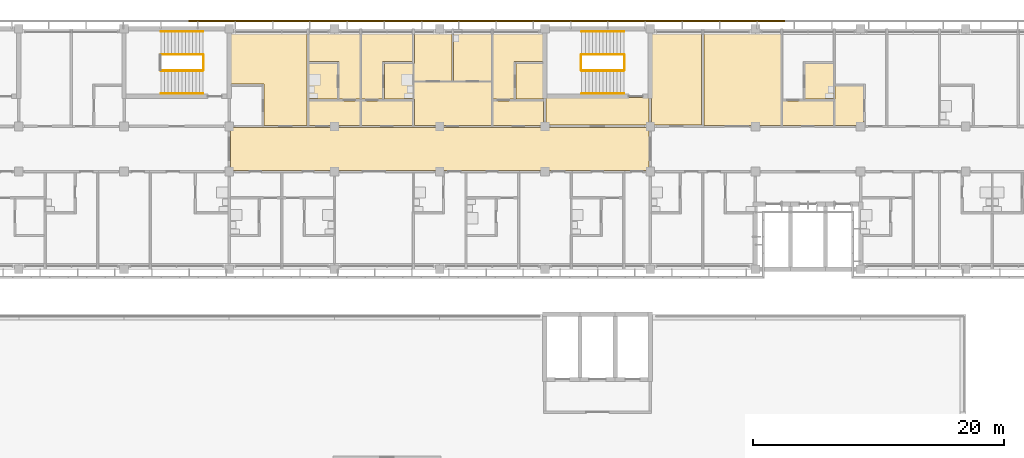
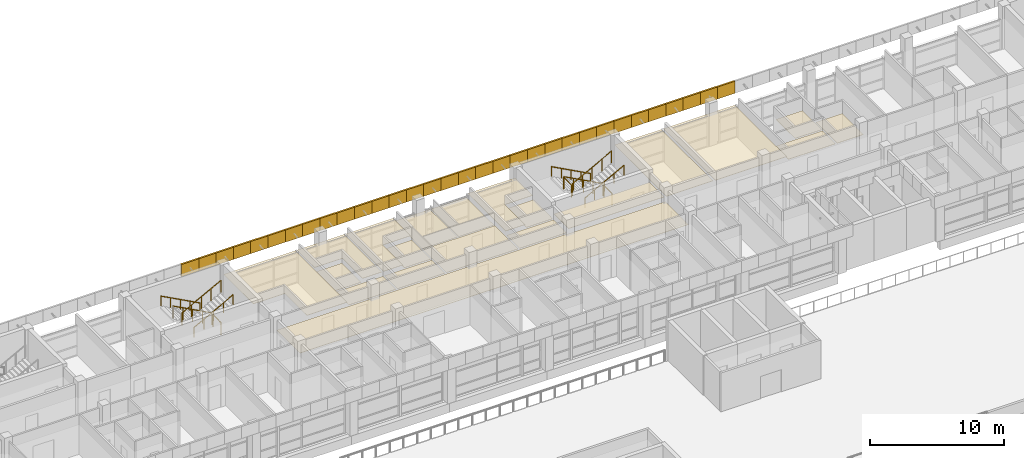
# One storey, part 43 of 46: 52 coverings, 11 railings.
"""IFC4 building model written with IfcOpenShell, lengths in metres."""

from ifc_helpers import new_model, si_unit, direction, frame, origin, origin_2d, place, context, subcontext, project, spatial, polyline, circle, outline, extrude, material, layer, layer_set, type_object, element, save


model = new_model("IFC4")

# Units and contexts
model_context = context("Model", 3, precision=1e-05, world=origin(), true_north=direction((0.0, 1.0)))
body_context = subcontext(model_context, "Body", "Model", "MODEL_VIEW")
ifc_project = project(units=[si_unit("LENGTHUNIT", "METRE"), si_unit("AREAUNIT", "SQUARE_METRE"), si_unit("VOLUMEUNIT", "CUBIC_METRE"), si_unit("PLANEANGLEUNIT", "RADIAN"), si_unit("MASSUNIT", "GRAM", prefix="KILO")], contexts=[model_context])

# Site, building, storey
site_placement = place(None, origin())
site = spatial("IfcSite", under=ifc_project, at=site_placement, CompositionType="ELEMENT")
building_placement = place(site_placement, origin())
building = spatial("IfcBuilding", under=site, at=building_placement, Name="Bougainvillea Quay General Hospital", CompositionType="ELEMENT")
storey_placement = place(building_placement, frame((0.0, 0.0, 28.800048828125)))
storey = spatial("IfcBuildingStorey", under=building, at=storey_placement, Name="L06", CompositionType="ELEMENT", Elevation=28.800048828125)

# Coverings
ifc_material_1 = material(Name="Powder-coated aluminium fascia, white", Category="aluminium")
ifc_layer_1 = layer(ifc_material_1, 0.14990234375)
ifc_layer_set_1 = layer_set([ifc_layer_1], Name="Powder-coated aluminium fascia, white")
covering_type_1 = type_object("IfcCoveringType", Name="Aluminium fascia band white 150x1100", PredefinedType="CLADDING", material=ifc_layer_set_1)
for number, where, z_axis, x_axis, name in (
    (1, (153.5625, 160.14990234375, 3.349853515625), (0.0, 0.0, 1.0), (-1.0, 0.0, 0.0), "Fascia band white e0 22"),
    (2, (152.074951171875, 160.14990234375, 3.349853515625), (0.0, 0.0, 1.0), (-1.0, 0.0, 0.0), "Fascia band white e0 23"),
):
    element("IfcCovering", number, at=place(storey_placement, frame(where, z_axis=z_axis, x_axis=x_axis)), inside=storey, type_object=covering_type_1, Name=name, PredefinedType="CLADDING", context=body_context, shape_type="SweptSolid", body=[
        extrude(outline(polyline([(0.0, 0.0), (1.487548828125, 0.0), (1.487548828125, -0.150146484375), (0.0, -0.150146484375), (0.0, 0.0)])), origin(), (0.0, 0.0, 1.0), 1.10009765625),
    ])
covering_1_placement = place(storey_placement, frame((150.58740234375, 160.14990234375, 3.349853515625), z_axis=(0.0, 0.0, 1.0), x_axis=(-1.0, 0.0, 0.0)))
element("IfcCovering", 3, at=covering_1_placement, inside=storey, type_object=covering_type_1, Name="Fascia band white e0 24", PredefinedType="CLADDING", context=body_context, shape_type="SweptSolid", body=[
    extrude(outline(polyline([(0.0, 0.0), (1.4873046875, 0.0), (1.4873046875, -0.150146484375), (0.0, -0.150146484375), (0.0, 0.0)])), origin(), (0.0, 0.0, 1.0), 1.10009765625),
])
for number, where, z_axis, x_axis, name in (
    (4, (149.10009765625, 160.14990234375, 3.349853515625), (0.0, 0.0, 1.0), (-1.0, 0.0, 0.0), "Fascia band white e0 25"),
    (5, (147.612548828125, 160.14990234375, 3.349853515625), (0.0, 0.0, 1.0), (-1.0, 0.0, 0.0), "Fascia band white e0 26"),
    (6, (146.125, 160.14990234375, 3.349853515625), (0.0, 0.0, 1.0), (-1.0, 0.0, 0.0), "Fascia band white e0 27"),
    (7, (144.637451171875, 160.14990234375, 3.349853515625), (0.0, 0.0, 1.0), (-1.0, 0.0, 0.0), "Fascia band white e0 28"),
):
    element("IfcCovering", number, at=place(storey_placement, frame(where, z_axis=z_axis, x_axis=x_axis)), inside=storey, type_object=covering_type_1, Name=name, PredefinedType="CLADDING", context=body_context, shape_type="SweptSolid", body=[
        extrude(outline(polyline([(0.0, 0.0), (1.487548828125, 0.0), (1.487548828125, -0.150146484375), (0.0, -0.150146484375), (0.0, 0.0)])), origin(), (0.0, 0.0, 1.0), 1.10009765625),
    ])
covering_2_placement = place(storey_placement, frame((143.14990234375, 160.14990234375, 3.349853515625), z_axis=(0.0, 0.0, 1.0), x_axis=(-1.0, 0.0, 0.0)))
element("IfcCovering", 8, at=covering_2_placement, inside=storey, type_object=covering_type_1, Name="Fascia band white e0 29", PredefinedType="CLADDING", context=body_context, shape_type="SweptSolid", body=[
    extrude(outline(polyline([(0.0, 0.0), (1.4873046875, 0.0), (1.4873046875, -0.150146484375), (0.0, -0.150146484375), (0.0, 0.0)])), origin(), (0.0, 0.0, 1.0), 1.10009765625),
])
for number, where, z_axis, x_axis, name in (
    (9, (141.66259765625, 160.14990234375, 3.349853515625), (0.0, 0.0, 1.0), (-1.0, 0.0, 0.0), "Fascia band white e0 30"),
    (10, (140.175048828125, 160.14990234375, 3.349853515625), (0.0, 0.0, 1.0), (-1.0, 0.0, 0.0), "Fascia band white e0 31"),
    (11, (138.6875, 160.14990234375, 3.349853515625), (0.0, 0.0, 1.0), (-1.0, 0.0, 0.0), "Fascia band white e0 32"),
    (12, (137.199951171875, 160.14990234375, 3.349853515625), (0.0, 0.0, 1.0), (-1.0, 0.0, 0.0), "Fascia band white e0 33"),
):
    element("IfcCovering", number, at=place(storey_placement, frame(where, z_axis=z_axis, x_axis=x_axis)), inside=storey, type_object=covering_type_1, Name=name, PredefinedType="CLADDING", context=body_context, shape_type="SweptSolid", body=[
        extrude(outline(polyline([(0.0, 0.0), (1.487548828125, 0.0), (1.487548828125, -0.150146484375), (0.0, -0.150146484375), (0.0, 0.0)])), origin(), (0.0, 0.0, 1.0), 1.10009765625),
    ])
covering_3_placement = place(storey_placement, frame((135.71240234375, 160.14990234375, 3.349853515625), z_axis=(0.0, 0.0, 1.0), x_axis=(-1.0, 0.0, 0.0)))
element("IfcCovering", 13, at=covering_3_placement, inside=storey, type_object=covering_type_1, Name="Fascia band white e0 34", PredefinedType="CLADDING", context=body_context, shape_type="SweptSolid", body=[
    extrude(outline(polyline([(0.0, 0.0), (1.4873046875, 0.0), (1.4873046875, -0.150146484375), (0.0, -0.150146484375), (0.0, 0.0)])), origin(), (0.0, 0.0, 1.0), 1.10009765625),
])
for number, where, z_axis, x_axis, name in (
    (14, (134.22509765625, 160.14990234375, 3.349853515625), (0.0, 0.0, 1.0), (-1.0, 0.0, 0.0), "Fascia band white e0 35"),
    (15, (132.737548828125, 160.14990234375, 3.349853515625), (0.0, 0.0, 1.0), (-1.0, 0.0, 0.0), "Fascia band white e0 36"),
    (16, (131.25, 160.14990234375, 3.349853515625), (0.0, 0.0, 1.0), (-1.0, 0.0, 0.0), "Fascia band white e0 37"),
    (17, (129.762451171875, 160.14990234375, 3.349853515625), (0.0, 0.0, 1.0), (-1.0, 0.0, 0.0), "Fascia band white e0 38"),
):
    element("IfcCovering", number, at=place(storey_placement, frame(where, z_axis=z_axis, x_axis=x_axis)), inside=storey, type_object=covering_type_1, Name=name, PredefinedType="CLADDING", context=body_context, shape_type="SweptSolid", body=[
        extrude(outline(polyline([(0.0, 0.0), (1.487548828125, 0.0), (1.487548828125, -0.150146484375), (0.0, -0.150146484375), (0.0, 0.0)])), origin(), (0.0, 0.0, 1.0), 1.10009765625),
    ])
covering_4_placement = place(storey_placement, frame((128.27490234375, 160.14990234375, 3.349853515625), z_axis=(0.0, 0.0, 1.0), x_axis=(-1.0, 0.0, 0.0)))
element("IfcCovering", 18, at=covering_4_placement, inside=storey, type_object=covering_type_1, Name="Fascia band white e0 39", PredefinedType="CLADDING", context=body_context, shape_type="SweptSolid", body=[
    extrude(outline(polyline([(0.0, 0.0), (1.4873046875, 0.0), (1.4873046875, -0.150146484375), (0.0, -0.150146484375), (0.0, 0.0)])), origin(), (0.0, 0.0, 1.0), 1.10009765625),
])
for number, where, z_axis, x_axis, name in (
    (19, (126.78759765625, 160.14990234375, 3.349853515625), (0.0, 0.0, 1.0), (-1.0, 0.0, 0.0), "Fascia band white e0 40"),
    (20, (125.300048828125, 160.14990234375, 3.349853515625), (0.0, 0.0, 1.0), (-1.0, 0.0, 0.0), "Fascia band white e0 41"),
    (21, (123.8125, 160.14990234375, 3.349853515625), (0.0, 0.0, 1.0), (-1.0, 0.0, 0.0), "Fascia band white e0 42"),
    (22, (122.324951171875, 160.14990234375, 3.349853515625), (0.0, 0.0, 1.0), (-1.0, 0.0, 0.0), "Fascia band white e0 43"),
):
    element("IfcCovering", number, at=place(storey_placement, frame(where, z_axis=z_axis, x_axis=x_axis)), inside=storey, type_object=covering_type_1, Name=name, PredefinedType="CLADDING", context=body_context, shape_type="SweptSolid", body=[
        extrude(outline(polyline([(0.0, 0.0), (1.487548828125, 0.0), (1.487548828125, -0.150146484375), (0.0, -0.150146484375), (0.0, 0.0)])), origin(), (0.0, 0.0, 1.0), 1.10009765625),
    ])
covering_5_placement = place(storey_placement, frame((120.83740234375, 160.14990234375, 3.349853515625), z_axis=(0.0, 0.0, 1.0), x_axis=(-1.0, 0.0, 0.0)))
element("IfcCovering", 23, at=covering_5_placement, inside=storey, type_object=covering_type_1, Name="Fascia band white e0 44", PredefinedType="CLADDING", context=body_context, shape_type="SweptSolid", body=[
    extrude(outline(polyline([(0.0, 0.0), (1.4873046875, 0.0), (1.4873046875, -0.150146484375), (0.0, -0.150146484375), (0.0, 0.0)])), origin(), (0.0, 0.0, 1.0), 1.10009765625),
])
for number, where, z_axis, x_axis, name in (
    (24, (119.35009765625, 160.14990234375, 3.349853515625), (0.0, 0.0, 1.0), (-1.0, 0.0, 0.0), "Fascia band white e0 45"),
    (25, (117.862548828125, 160.14990234375, 3.349853515625), (0.0, 0.0, 1.0), (-1.0, 0.0, 0.0), "Fascia band white e0 46"),
    (26, (116.375, 160.14990234375, 3.349853515625), (0.0, 0.0, 1.0), (-1.0, 0.0, 0.0), "Fascia band white e0 47"),
    (27, (114.887451171875, 160.14990234375, 3.349853515625), (0.0, 0.0, 1.0), (-1.0, 0.0, 0.0), "Fascia band white e0 48"),
):
    element("IfcCovering", number, at=place(storey_placement, frame(where, z_axis=z_axis, x_axis=x_axis)), inside=storey, type_object=covering_type_1, Name=name, PredefinedType="CLADDING", context=body_context, shape_type="SweptSolid", body=[
        extrude(outline(polyline([(0.0, 0.0), (1.487548828125, 0.0), (1.487548828125, -0.150146484375), (0.0, -0.150146484375), (0.0, 0.0)])), origin(), (0.0, 0.0, 1.0), 1.10009765625),
    ])
covering_6_placement = place(storey_placement, frame((113.39990234375, 160.14990234375, 3.349853515625), z_axis=(0.0, 0.0, 1.0), x_axis=(-1.0, 0.0, 0.0)))
element("IfcCovering", 28, at=covering_6_placement, inside=storey, type_object=covering_type_1, Name="Fascia band white e0 49", PredefinedType="CLADDING", context=body_context, shape_type="SweptSolid", body=[
    extrude(outline(polyline([(0.0, 0.0), (1.4873046875, 0.0), (1.4873046875, -0.150146484375), (0.0, -0.150146484375), (0.0, 0.0)])), origin(), (0.0, 0.0, 1.0), 1.10009765625),
])
for number, where, z_axis, x_axis, name in (
    (29, (111.91259765625, 160.14990234375, 3.349853515625), (0.0, 0.0, 1.0), (-1.0, 0.0, 0.0), "Fascia band white e0 50"),
    (30, (110.425048828125, 160.14990234375, 3.349853515625), (0.0, 0.0, 1.0), (-1.0, 0.0, 0.0), "Fascia band white e0 51"),
    (31, (108.9375, 160.14990234375, 3.349853515625), (0.0, 0.0, 1.0), (-1.0, 0.0, 0.0), "Fascia band white e0 52"),
    (32, (107.449951171875, 160.14990234375, 3.349853515625), (0.0, 0.0, 1.0), (-1.0, 0.0, 0.0), "Fascia band white e0 53"),
):
    element("IfcCovering", number, at=place(storey_placement, frame(where, z_axis=z_axis, x_axis=x_axis)), inside=storey, type_object=covering_type_1, Name=name, PredefinedType="CLADDING", context=body_context, shape_type="SweptSolid", body=[
        extrude(outline(polyline([(0.0, 0.0), (1.487548828125, 0.0), (1.487548828125, -0.150146484375), (0.0, -0.150146484375), (0.0, 0.0)])), origin(), (0.0, 0.0, 1.0), 1.10009765625),
    ])

# Railings
ifc_material_2 = material(Name="Stainless steel 304 balustrade", Category="steel")
railing_type_1 = type_object("IfcRailingType", Name="Stair guard 1100", PredefinedType="GUARDRAIL", material=ifc_material_2)
railing_1_placement = place(storey_placement, frame((140.699951171875, 157.550048828125, 0.14990234375)))
element("IfcRailing", 33, at=railing_1_placement, inside=storey, type_object=railing_type_1, Name="L06 ST-A3 stair guard 1", PredefinedType="GUARDRAIL", context=body_context, shape_type="SweptSolid", body=[
    extrude(circle(Radius=0.02392578125, at=origin_2d()), frame((0.0, 0.0, 1.076171875), z_axis=(-0.881466638993, 0.0, 0.472246296272), x_axis=(0.0, -1.0, 0.0)), (0.0, 0.0, 1.0), 3.811767578125),
    extrude(circle(Radius=0.02099609375, at=origin_2d()), origin(), (0.0, 0.0, 1.0), 1.052001953125),
    extrude(circle(Radius=0.02099609375, at=origin_2d()), frame((-0.83984375, 0.0, 0.449951171875)), (0.0, 0.0, 1.0), 1.052001953125),
    extrude(circle(Radius=0.02099609375, at=origin_2d()), frame((-1.679931640625, 0.0, 0.89990234375)), (0.0, 0.0, 1.0), 1.052001953125),
    extrude(circle(Radius=0.02099609375, at=origin_2d()), frame((-2.52001953125, 0.0, 1.35009765625)), (0.0, 0.0, 1.0), 1.052001953125),
    extrude(circle(Radius=0.02099609375, at=origin_2d()), frame((-3.35986328125, 0.0, 1.800048828125)), (0.0, 0.0, 1.0), 1.052001953125),
])
railing_2_placement = place(storey_placement, frame((137.2900390625, 157.5, 1.949951171875)))
element("IfcRailing", 34, at=railing_2_placement, inside=storey, type_object=railing_type_1, Name="L06 ST-A3 stair guard 2", PredefinedType="GUARDRAIL", context=body_context, shape_type="SweptSolid", body=[
    extrude(circle(Radius=0.02392578125, at=origin_2d()), frame((0.0, 0.0, 1.076171875), z_axis=(0.0, -1.0, 0.0), x_axis=(1.0, 0.0, 0.0)), (0.0, 0.0, 1.0), 1.199951171875),
    extrude(circle(Radius=0.02099609375, at=origin_2d()), origin(), (0.0, 0.0, 1.0), 1.052001953125),
    extrude(circle(Radius=0.02099609375, at=origin_2d()), frame((0.0, -1.199951171875, 0.0)), (0.0, 0.0, 1.0), 1.052001953125),
])
railing_3_placement = place(storey_placement, frame((137.340087890625, 156.25, 2.099853515625)))
element("IfcRailing", 35, at=railing_3_placement, inside=storey, type_object=railing_type_1, Name="L06 ST-A3 stair guard 3", PredefinedType="GUARDRAIL", context=body_context, shape_type="SweptSolid", body=[
    extrude(circle(Radius=0.02392578125, at=origin_2d()), frame((0.0, 0.0, 1.076171875), z_axis=(0.881466638993, 0.0, 0.472246296272), x_axis=(0.0, 1.0, 0.0)), (0.0, 0.0, 1.0), 3.811767578125),
    extrude(circle(Radius=0.02099609375, at=origin_2d()), origin(), (0.0, 0.0, 1.0), 1.052001953125),
    extrude(circle(Radius=0.02099609375, at=origin_2d()), frame((0.83984375, 0.0, 0.449951171875)), (0.0, 0.0, 1.0), 1.052001953125),
    extrude(circle(Radius=0.02099609375, at=origin_2d()), frame((1.679931640625, 0.0, 0.89990234375)), (0.0, 0.0, 1.0), 1.052001953125),
    extrude(circle(Radius=0.02099609375, at=origin_2d()), frame((2.52001953125, 0.0, 1.35009765625)), (0.0, 0.0, 1.0), 1.052001953125),
    extrude(circle(Radius=0.02099609375, at=origin_2d()), frame((3.35986328125, 0.0, 1.800048828125)), (0.0, 0.0, 1.0), 1.052001953125),
])
railing_4_placement = place(storey_placement, frame((140.75, 157.5, 0.0)))
element("IfcRailing", 36, at=railing_4_placement, inside=storey, type_object=railing_type_1, Name="L06 ST-A3 stair guard 4", PredefinedType="GUARDRAIL", context=body_context, shape_type="SweptSolid", body=[
    extrude(circle(Radius=0.02392578125, at=origin_2d()), frame((0.0, 0.0, 1.076171875), z_axis=(0.0, -1.0, 0.0), x_axis=(1.0, 0.0, 0.0)), (0.0, 0.0, 1.0), 1.199951171875),
    extrude(circle(Radius=0.02099609375, at=origin_2d()), origin(), (0.0, 0.0, 1.0), 1.052001953125),
    extrude(circle(Radius=0.02099609375, at=origin_2d()), frame((0.0, -1.199951171875, 0.0)), (0.0, 0.0, 1.0), 1.052001953125),
])
railing_5_placement = place(storey_placement, frame((107.10009765625, 157.550048828125, 0.14990234375)))
element("IfcRailing", 37, at=railing_5_placement, inside=storey, type_object=railing_type_1, Name="L06 ST-A5 stair guard 1", PredefinedType="GUARDRAIL", context=body_context, shape_type="SweptSolid", body=[
    extrude(circle(Radius=0.02392578125, at=origin_2d()), frame((0.0, 0.0, 1.076171875), z_axis=(-0.881480922165, 0.0, 0.47221963519), x_axis=(0.0, -1.0, 0.0)), (0.0, 0.0, 1.0), 3.811767578125),
    extrude(circle(Radius=0.02099609375, at=origin_2d()), origin(), (0.0, 0.0, 1.0), 1.052001953125),
    extrude(circle(Radius=0.02099609375, at=origin_2d()), frame((-0.840087890625, 0.0, 0.449951171875)), (0.0, 0.0, 1.0), 1.052001953125),
    extrude(circle(Radius=0.02099609375, at=origin_2d()), frame((-1.68017578125, 0.0, 0.89990234375)), (0.0, 0.0, 1.0), 1.052001953125),
    extrude(circle(Radius=0.02099609375, at=origin_2d()), frame((-2.52001953125, 0.0, 1.35009765625)), (0.0, 0.0, 1.0), 1.052001953125),
    extrude(circle(Radius=0.02099609375, at=origin_2d()), frame((-3.360107421875, 0.0, 1.800048828125)), (0.0, 0.0, 1.0), 1.052001953125),
])
railing_6_placement = place(storey_placement, frame((103.739990234375, 156.25, 2.099853515625)))
element("IfcRailing", 38, at=railing_6_placement, inside=storey, type_object=railing_type_1, Name="L06 ST-A5 stair guard 3", PredefinedType="GUARDRAIL", context=body_context, shape_type="SweptSolid", body=[
    extrude(circle(Radius=0.02392578125, at=origin_2d()), frame((0.0, 0.0, 1.076171875), z_axis=(0.881480922165, 0.0, 0.47221963519), x_axis=(0.0, 1.0, 0.0)), (0.0, 0.0, 1.0), 3.811767578125),
    extrude(circle(Radius=0.02099609375, at=origin_2d()), origin(), (0.0, 0.0, 1.0), 1.052001953125),
    extrude(circle(Radius=0.02099609375, at=origin_2d()), frame((0.840087890625, 0.0, 0.449951171875)), (0.0, 0.0, 1.0), 1.052001953125),
    extrude(circle(Radius=0.02099609375, at=origin_2d()), frame((1.68017578125, 0.0, 0.89990234375)), (0.0, 0.0, 1.0), 1.052001953125),
    extrude(circle(Radius=0.02099609375, at=origin_2d()), frame((2.52001953125, 0.0, 1.35009765625)), (0.0, 0.0, 1.0), 1.052001953125),
    extrude(circle(Radius=0.02099609375, at=origin_2d()), frame((3.360107421875, 0.0, 1.800048828125)), (0.0, 0.0, 1.0), 1.052001953125),
])
railing_7_placement = place(storey_placement, frame((107.14990234375, 157.5, 0.0)))
element("IfcRailing", 39, at=railing_7_placement, inside=storey, type_object=railing_type_1, Name="L06 ST-A5 stair guard 4", PredefinedType="GUARDRAIL", context=body_context, shape_type="SweptSolid", body=[
    extrude(circle(Radius=0.02392578125, at=origin_2d()), frame((0.0, 0.0, 1.076171875), z_axis=(0.0, -1.0, 0.0), x_axis=(1.0, 0.0, 0.0)), (0.0, 0.0, 1.0), 1.199951171875),
    extrude(circle(Radius=0.02099609375, at=origin_2d()), origin(), (0.0, 0.0, 1.0), 1.052001953125),
    extrude(circle(Radius=0.02099609375, at=origin_2d()), frame((0.0, -1.199951171875, 0.0)), (0.0, 0.0, 1.0), 1.052001953125),
])
ifc_material_3 = material(Name="Stainless steel 304 handrail", Category="steel")
railing_type_2 = type_object("IfcRailingType", Name="Stair handrail 900", PredefinedType="HANDRAIL", material=ifc_material_3)
railing_8_placement = place(storey_placement, frame((140.699951171875, 159.375, 0.14990234375)))
element("IfcRailing", 40, at=railing_8_placement, inside=storey, type_object=railing_type_2, Name="L06 ST-A3 stair handrail 1", PredefinedType="HANDRAIL", context=body_context, shape_type="SweptSolid", body=[
    extrude(circle(Radius=0.02392578125, at=origin_2d()), frame((0.0, 0.0, 0.8759765625), z_axis=(-0.881466638993, 0.0, 0.472246296272), x_axis=(0.0, -1.0, 0.0)), (0.0, 0.0, 1.0), 3.811767578125),
    extrude(circle(Radius=0.02099609375, at=origin_2d()), origin(), (0.0, 0.0, 1.0), 0.851806640625),
    extrude(circle(Radius=0.02099609375, at=origin_2d()), frame((-0.83984375, 0.0, 0.449951171875)), (0.0, 0.0, 1.0), 0.851806640625),
    extrude(circle(Radius=0.02099609375, at=origin_2d()), frame((-1.679931640625, 0.0, 0.89990234375)), (0.0, 0.0, 1.0), 0.851806640625),
    extrude(circle(Radius=0.02099609375, at=origin_2d()), frame((-2.52001953125, 0.0, 1.35009765625)), (0.0, 0.0, 1.0), 0.851806640625),
    extrude(circle(Radius=0.02099609375, at=origin_2d()), frame((-3.35986328125, 0.0, 1.800048828125)), (0.0, 0.0, 1.0), 0.851806640625),
])
railing_9_placement = place(storey_placement, frame((137.340087890625, 154.425048828125, 2.099853515625)))
element("IfcRailing", 41, at=railing_9_placement, inside=storey, type_object=railing_type_2, Name="L06 ST-A3 stair handrail 2", PredefinedType="HANDRAIL", context=body_context, shape_type="SweptSolid", body=[
    extrude(circle(Radius=0.02392578125, at=origin_2d()), frame((0.0, 0.0, 0.8759765625), z_axis=(0.881466638993, 0.0, 0.472246296272), x_axis=(0.0, 1.0, 0.0)), (0.0, 0.0, 1.0), 3.811767578125),
    extrude(circle(Radius=0.02099609375, at=origin_2d()), origin(), (0.0, 0.0, 1.0), 0.851806640625),
    extrude(circle(Radius=0.02099609375, at=origin_2d()), frame((0.83984375, 0.0, 0.449951171875)), (0.0, 0.0, 1.0), 0.851806640625),
    extrude(circle(Radius=0.02099609375, at=origin_2d()), frame((1.679931640625, 0.0, 0.89990234375)), (0.0, 0.0, 1.0), 0.851806640625),
    extrude(circle(Radius=0.02099609375, at=origin_2d()), frame((2.52001953125, 0.0, 1.35009765625)), (0.0, 0.0, 1.0), 0.851806640625),
    extrude(circle(Radius=0.02099609375, at=origin_2d()), frame((3.35986328125, 0.0, 1.800048828125)), (0.0, 0.0, 1.0), 0.851806640625),
])
railing_10_placement = place(storey_placement, frame((107.10009765625, 159.375, 0.14990234375)))
element("IfcRailing", 42, at=railing_10_placement, inside=storey, type_object=railing_type_2, Name="L06 ST-A5 stair handrail 1", PredefinedType="HANDRAIL", context=body_context, shape_type="SweptSolid", body=[
    extrude(circle(Radius=0.02392578125, at=origin_2d()), frame((0.0, 0.0, 0.8759765625), z_axis=(-0.881480922165, 0.0, 0.47221963519), x_axis=(0.0, -1.0, 0.0)), (0.0, 0.0, 1.0), 3.811767578125),
    extrude(circle(Radius=0.02099609375, at=origin_2d()), origin(), (0.0, 0.0, 1.0), 0.851806640625),
    extrude(circle(Radius=0.02099609375, at=origin_2d()), frame((-0.840087890625, 0.0, 0.449951171875)), (0.0, 0.0, 1.0), 0.851806640625),
    extrude(circle(Radius=0.02099609375, at=origin_2d()), frame((-1.68017578125, 0.0, 0.89990234375)), (0.0, 0.0, 1.0), 0.851806640625),
    extrude(circle(Radius=0.02099609375, at=origin_2d()), frame((-2.52001953125, 0.0, 1.35009765625)), (0.0, 0.0, 1.0), 0.851806640625),
    extrude(circle(Radius=0.02099609375, at=origin_2d()), frame((-3.360107421875, 0.0, 1.800048828125)), (0.0, 0.0, 1.0), 0.851806640625),
])
railing_11_placement = place(storey_placement, frame((103.739990234375, 154.425048828125, 2.099853515625)))
element("IfcRailing", 43, at=railing_11_placement, inside=storey, type_object=railing_type_2, Name="L06 ST-A5 stair handrail 2", PredefinedType="HANDRAIL", context=body_context, shape_type="SweptSolid", body=[
    extrude(circle(Radius=0.02392578125, at=origin_2d()), frame((0.0, 0.0, 0.8759765625), z_axis=(0.881480922165, 0.0, 0.47221963519), x_axis=(0.0, 1.0, 0.0)), (0.0, 0.0, 1.0), 3.811767578125),
    extrude(circle(Radius=0.02099609375, at=origin_2d()), origin(), (0.0, 0.0, 1.0), 0.851806640625),
    extrude(circle(Radius=0.02099609375, at=origin_2d()), frame((0.840087890625, 0.0, 0.449951171875)), (0.0, 0.0, 1.0), 0.851806640625),
    extrude(circle(Radius=0.02099609375, at=origin_2d()), frame((1.68017578125, 0.0, 0.89990234375)), (0.0, 0.0, 1.0), 0.851806640625),
    extrude(circle(Radius=0.02099609375, at=origin_2d()), frame((2.52001953125, 0.0, 1.35009765625)), (0.0, 0.0, 1.0), 0.851806640625),
    extrude(circle(Radius=0.02099609375, at=origin_2d()), frame((3.360107421875, 0.0, 1.800048828125)), (0.0, 0.0, 1.0), 0.851806640625),
])

# Coverings
ifc_material_4 = material(Name="Mineral fibre ceiling tile")
ifc_layer_2 = layer(ifc_material_4, 0.030029296875)
ifc_layer_set_2 = layer_set([ifc_layer_2], Name="Mineral fibre ceiling tile")
covering_type_2 = type_object("IfcCoveringType", Name="Suspended ceiling mineral fibre tile", PredefinedType="CEILING", material=ifc_layer_set_2)
covering_7_placement = place(storey_placement, frame((0.0, 0.0, 2.699951171875)))
element("IfcCovering", 44, at=covering_7_placement, inside=storey, type_object=covering_type_2, Name="Ceiling Refuge Room RR-A3-L06", PredefinedType="CEILING", context=body_context, shape_type="SweptSolid", body=[
    extrude(outline(polyline([(142.89990234375, 159.60009765625), (142.89990234375, 151.89990234375), (146.89990234375, 151.89990234375), (146.89990234375, 159.60009765625), (142.89990234375, 159.60009765625)])), origin(), (0.0, 0.0, 1.0), 0.030029296875),
])
covering_8_placement = place(storey_placement, frame((0.0, 0.0, 2.699951171875)))
element("IfcCovering", 45, at=covering_8_placement, inside=storey, type_object=covering_type_2, Name="Ceiling Smoke-proof Vestibule ST-A3", PredefinedType="CEILING", context=body_context, shape_type="SweptSolid", body=[
    extrude(outline(polyline([(142.699951171875, 154.10009765625), (134.5, 154.10009765625), (134.5, 151.89990234375), (142.699951171875, 151.89990234375), (142.699951171875, 154.10009765625)])), origin(), (0.0, 0.0, 1.0), 0.030029296875),
])
covering_9_placement = place(storey_placement, frame((0.0, 0.0, 2.699951171875)))
element("IfcCovering", 46, at=covering_9_placement, inside=storey, type_object=covering_type_2, Name="Ceiling Two-bed Cohort Room 06A31", PredefinedType="CEILING", context=body_context, shape_type="SweptSolid", body=[
    extrude(outline(polyline([(109.27490234375, 159.60009765625), (109.27490234375, 155.175048828125), (111.97509765625, 155.175048828125), (111.97509765625, 151.875), (115.425048828125, 151.875), (115.425048828125, 159.60009765625), (109.27490234375, 159.60009765625)])), origin(), (0.0, 0.0, 1.0), 0.030029296875),
])
covering_10_placement = place(storey_placement, frame((0.0, 0.0, 2.699951171875)))
element("IfcCovering", 47, at=covering_10_placement, inside=storey, type_object=covering_type_2, Name="Ceiling Airborne Isolation Room 06A32", PredefinedType="CEILING", context=body_context, shape_type="SweptSolid", body=[
    extrude(outline(polyline([(115.574951171875, 159.60009765625), (115.574951171875, 156.97509765625), (117.97509765625, 156.97509765625), (117.97509765625, 153.97509765625), (119.625, 153.97509765625), (119.625, 159.60009765625), (115.574951171875, 159.60009765625)])), origin(), (0.0, 0.0, 1.0), 0.030029296875),
])
covering_11_placement = place(storey_placement, frame((0.0, 0.0, 2.39990234375)))
element("IfcCovering", 48, at=covering_11_placement, inside=storey, type_object=covering_type_2, Name="Ceiling Isolation Anteroom 06A32", PredefinedType="CEILING", context=body_context, shape_type="SweptSolid", body=[
    extrude(outline(polyline([(115.574951171875, 151.875), (119.625, 151.875), (119.625, 153.824951171875), (115.574951171875, 153.824951171875), (115.574951171875, 151.875)])), origin(), (0.0, 0.0, 1.0), 0.030029296875),
])
covering_12_placement = place(storey_placement, frame((0.0, 0.0, 2.39990234375)))
element("IfcCovering", 49, at=covering_12_placement, inside=storey, type_object=covering_type_2, Name="Ceiling En-suite 06A32", PredefinedType="CEILING", context=body_context, shape_type="SweptSolid", body=[
    extrude(outline(polyline([(115.574951171875, 153.97509765625), (117.824951171875, 153.97509765625), (117.824951171875, 156.824951171875), (115.574951171875, 156.824951171875), (115.574951171875, 153.97509765625)])), origin(), (0.0, 0.0, 1.0), 0.030029296875),
])
covering_13_placement = place(storey_placement, frame((0.0, 0.0, 2.699951171875)))
element("IfcCovering", 50, at=covering_13_placement, inside=storey, type_object=covering_type_2, Name="Ceiling Airborne Isolation Room 06A33", PredefinedType="CEILING", context=body_context, shape_type="SweptSolid", body=[
    extrude(outline(polyline([(119.77490234375, 159.60009765625), (119.77490234375, 153.97509765625), (121.425048828125, 153.97509765625), (121.425048828125, 156.97509765625), (123.824951171875, 156.97509765625), (123.824951171875, 159.60009765625), (119.77490234375, 159.60009765625)])), origin(), (0.0, 0.0, 1.0), 0.030029296875),
])
covering_14_placement = place(storey_placement, frame((0.0, 0.0, 2.39990234375)))
element("IfcCovering", 51, at=covering_14_placement, inside=storey, type_object=covering_type_2, Name="Ceiling Isolation Anteroom 06A33", PredefinedType="CEILING", context=body_context, shape_type="SweptSolid", body=[
    extrude(outline(polyline([(119.77490234375, 151.875), (123.824951171875, 151.875), (123.824951171875, 153.824951171875), (119.77490234375, 153.824951171875), (119.77490234375, 151.875)])), origin(), (0.0, 0.0, 1.0), 0.030029296875),
])
covering_15_placement = place(storey_placement, frame((0.0, 0.0, 2.39990234375)))
element("IfcCovering", 52, at=covering_15_placement, inside=storey, type_object=covering_type_2, Name="Ceiling En-suite 06A33", PredefinedType="CEILING", context=body_context, shape_type="SweptSolid", body=[
    extrude(outline(polyline([(121.574951171875, 156.824951171875), (121.574951171875, 153.97509765625), (123.85009765625, 153.97509765625), (123.85009765625, 156.824951171875), (121.574951171875, 156.824951171875)])), origin(), (0.0, 0.0, 1.0), 0.030029296875),
])
covering_16_placement = place(storey_placement, frame((0.0, 0.0, 2.39990234375)))
element("IfcCovering", 53, at=covering_16_placement, inside=storey, type_object=covering_type_2, Name="Ceiling WC Lobby 06A34", PredefinedType="CEILING", context=body_context, shape_type="SweptSolid", body=[
    extrude(outline(polyline([(123.97509765625, 153.97509765625), (123.97509765625, 151.875), (130.125, 151.875), (130.125, 155.35009765625), (123.949951171875, 155.35009765625), (123.949951171875, 153.97509765625), (123.97509765625, 153.97509765625)])), origin(), (0.0, 0.0, 1.0), 0.030029296875),
])
covering_17_placement = place(storey_placement, frame((0.0, 0.0, 2.39990234375)))
element("IfcCovering", 54, at=covering_17_placement, inside=storey, type_object=covering_type_2, Name="Ceiling Accessible WC 06A34", PredefinedType="CEILING", context=body_context, shape_type="SweptSolid", body=[
    extrude(outline(polyline([(123.97509765625, 159.60009765625), (123.97509765625, 156.824951171875), (123.949951171875, 156.824951171875), (123.949951171875, 155.449951171875), (127.0, 155.449951171875), (127.0, 159.60009765625), (123.97509765625, 159.60009765625)])), origin(), (0.0, 0.0, 1.0), 0.030029296875),
])
covering_18_placement = place(storey_placement, frame((0.0, 0.0, 2.39990234375)))
element("IfcCovering", 55, at=covering_18_placement, inside=storey, type_object=covering_type_2, Name="Ceiling Visitors' WC 06A34", PredefinedType="CEILING", context=body_context, shape_type="SweptSolid", body=[
    extrude(outline(polyline([(127.10009765625, 159.60009765625), (127.10009765625, 155.449951171875), (130.125, 155.449951171875), (130.125, 159.60009765625), (127.10009765625, 159.60009765625)])), origin(), (0.0, 0.0, 1.0), 0.030029296875),
])
covering_19_placement = place(storey_placement, frame((0.0, 0.0, 2.699951171875)))
element("IfcCovering", 56, at=covering_19_placement, inside=storey, type_object=covering_type_2, Name="Ceiling Airborne Isolation Room 06A35", PredefinedType="CEILING", context=body_context, shape_type="SweptSolid", body=[
    extrude(outline(polyline([(130.27490234375, 159.60009765625), (130.27490234375, 153.97509765625), (131.925048828125, 153.97509765625), (131.925048828125, 156.97509765625), (134.324951171875, 156.97509765625), (134.324951171875, 159.60009765625), (130.27490234375, 159.60009765625)])), origin(), (0.0, 0.0, 1.0), 0.030029296875),
])
covering_20_placement = place(storey_placement, frame((0.0, 0.0, 2.39990234375)))
element("IfcCovering", 57, at=covering_20_placement, inside=storey, type_object=covering_type_2, Name="Ceiling Isolation Anteroom 06A35", PredefinedType="CEILING", context=body_context, shape_type="SweptSolid", body=[
    extrude(outline(polyline([(134.300048828125, 153.824951171875), (130.27490234375, 153.824951171875), (130.27490234375, 151.875), (134.300048828125, 151.875), (134.300048828125, 153.824951171875)])), origin(), (0.0, 0.0, 1.0), 0.030029296875),
])
covering_21_placement = place(storey_placement, frame((0.0, 0.0, 2.39990234375)))
element("IfcCovering", 58, at=covering_21_placement, inside=storey, type_object=covering_type_2, Name="Ceiling En-suite 06A35", PredefinedType="CEILING", context=body_context, shape_type="SweptSolid", body=[
    extrude(outline(polyline([(134.35009765625, 154.300048828125), (134.35009765625, 156.824951171875), (132.074951171875, 156.824951171875), (132.074951171875, 153.97509765625), (134.300048828125, 153.97509765625), (134.300048828125, 154.300048828125), (134.35009765625, 154.300048828125)])), origin(), (0.0, 0.0, 1.0), 0.030029296875),
])
covering_22_placement = place(storey_placement, frame((0.0, 0.0, 2.699951171875)))
element("IfcCovering", 59, at=covering_22_placement, inside=storey, type_object=covering_type_2, Name="Ceiling Nurses' Station 06A38", PredefinedType="CEILING", context=body_context, shape_type="SweptSolid", body=[
    extrude(outline(polyline([(147.10009765625, 159.60009765625), (147.10009765625, 151.875), (153.22509765625, 151.875), (153.22509765625, 159.60009765625), (147.10009765625, 159.60009765625)])), origin(), (0.0, 0.0, 1.0), 0.030029296875),
])
covering_23_placement = place(storey_placement, frame((0.0, 0.0, 2.39990234375)))
element("IfcCovering", 60, at=covering_23_placement, inside=storey, type_object=covering_type_2, Name="Ceiling Isolation Anteroom 06A39", PredefinedType="CEILING", context=body_context, shape_type="SweptSolid", body=[
    extrude(outline(polyline([(157.425048828125, 153.824951171875), (153.375, 153.824951171875), (153.375, 151.875), (157.425048828125, 151.875), (157.425048828125, 153.824951171875)])), origin(), (0.0, 0.0, 1.0), 0.030029296875),
])
covering_24_placement = place(storey_placement, frame((0.0, 0.0, 2.39990234375)))
element("IfcCovering", 61, at=covering_24_placement, inside=storey, type_object=covering_type_2, Name="Ceiling En-suite 06A39", PredefinedType="CEILING", context=body_context, shape_type="SweptSolid", body=[
    extrude(outline(polyline([(157.425048828125, 156.824951171875), (155.175048828125, 156.824951171875), (155.175048828125, 153.97509765625), (157.449951171875, 153.97509765625), (157.449951171875, 155.02490234375), (157.425048828125, 155.02490234375), (157.425048828125, 156.824951171875)])), origin(), (0.0, 0.0, 1.0), 0.030029296875),
])
covering_25_placement = place(storey_placement, frame((0.0, 0.0, 2.39990234375)))
element("IfcCovering", 62, at=covering_25_placement, inside=storey, type_object=covering_type_2, Name="Ceiling En-suite 06A40", PredefinedType="CEILING", context=body_context, shape_type="SweptSolid", body=[
    extrude(outline(polyline([(159.824951171875, 151.875), (159.824951171875, 155.02490234375), (157.550048828125, 155.02490234375), (157.550048828125, 153.97509765625), (157.574951171875, 153.97509765625), (157.574951171875, 151.875), (159.824951171875, 151.875)])), origin(), (0.0, 0.0, 1.0), 0.030029296875),
])
covering_26_placement = place(storey_placement, frame((0.0, 0.0, 2.39990234375)))
element("IfcCovering", 63, at=covering_26_placement, inside=storey, type_object=covering_type_2, Name="Ceiling Ward Corridor A3", PredefinedType="CEILING", context=body_context, shape_type="SweptSolid", body=[
    extrude(outline(polyline([(109.300048828125, 148.27490234375), (142.699951171875, 148.27490234375), (142.699951171875, 151.699951171875), (134.300048828125, 151.699951171875), (134.300048828125, 151.72509765625), (109.300048828125, 151.72509765625), (109.300048828125, 148.27490234375)])), origin(), (0.0, 0.0, 1.0), 0.030029296875),
])

save(model, "model.ifc")
